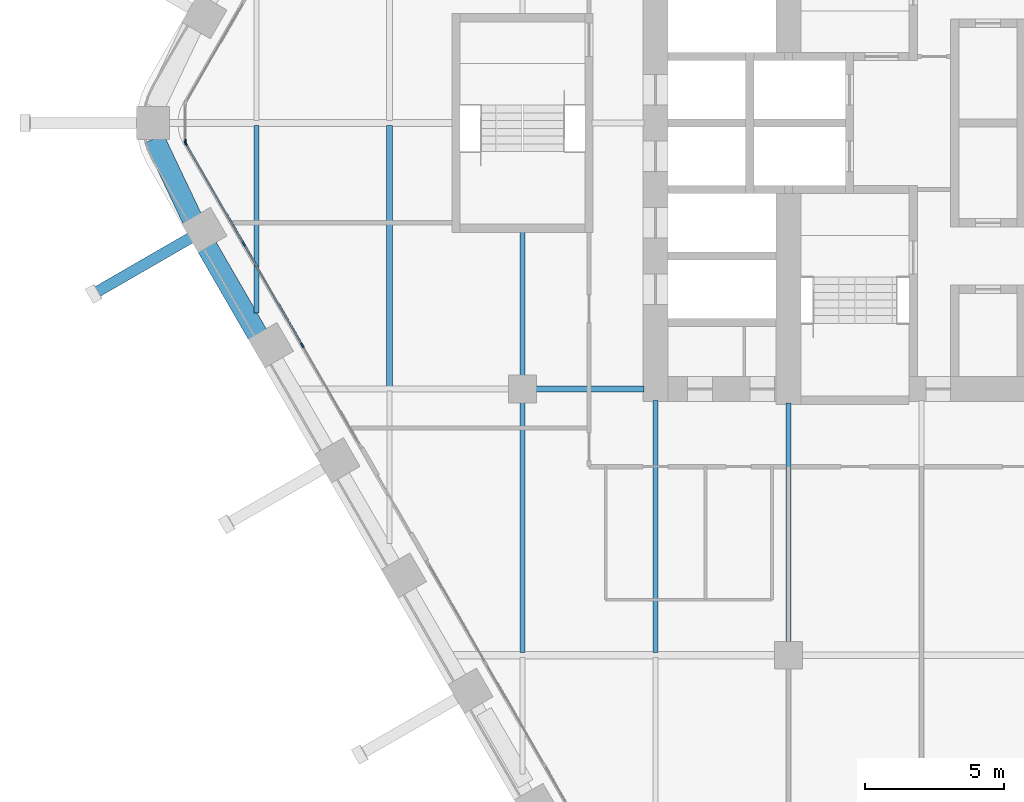
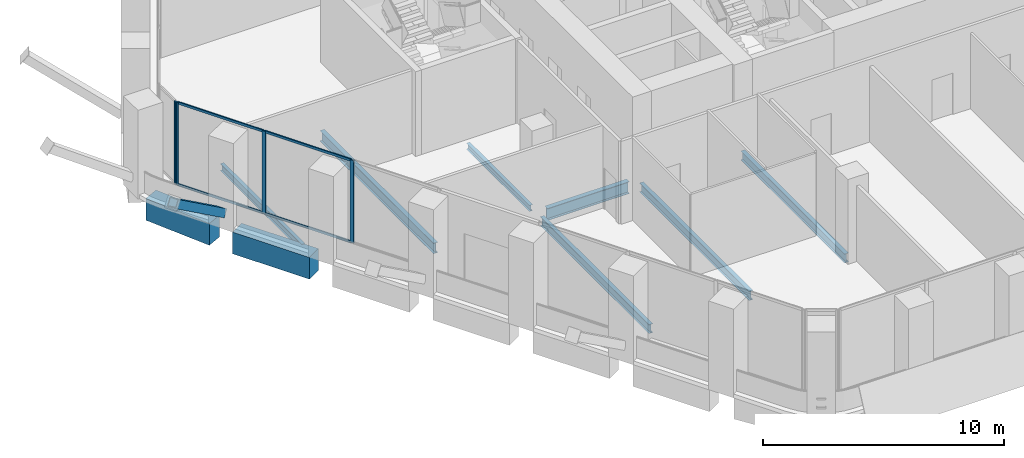
# One storey, part 3 of 27: 9 beams, 9 members, 2 elements without a shape of their own.
"""IFC4 building model written with IfcOpenShell, lengths in metres."""

from ifc_helpers import new_model, si_unit, direction, frame, origin, origin_2d, place, context, subcontext, project, spatial, rectangle, hollow_rectangle, i_section, extrude, material, material_profile, profile_set, type_object, element, aggregate, save


model = new_model("IFC4")

# Units and contexts
model_context = context("Model", 3, precision=1e-05, world=origin(), true_north=direction((0.0, 1.0)))
body_context = subcontext(model_context, "Body", "Model", "MODEL_VIEW")
ifc_project = project(units=[si_unit("LENGTHUNIT", "METRE"), si_unit("AREAUNIT", "SQUARE_METRE"), si_unit("VOLUMEUNIT", "CUBIC_METRE"), si_unit("PLANEANGLEUNIT", "RADIAN"), si_unit("MASSUNIT", "GRAM", prefix="KILO")], contexts=[model_context])

# Site, building, storey
site_placement = place(None, origin())
site = spatial("IfcSite", under=ifc_project, at=site_placement, CompositionType="ELEMENT")
building_placement = place(site_placement, origin())
building = spatial("IfcBuilding", under=site, at=building_placement, Name="Kolab Exchange Tower", CompositionType="ELEMENT")
storey_placement = place(building_placement, frame((0.0, 0.0, 118.39990234375)))
storey = spatial("IfcBuildingStorey", under=building, at=storey_placement, Name="L23", CompositionType="ELEMENT", Elevation=118.39990234375)

# Beams
ifc_material_1 = material(Name="Steel S355", Category="steel")
ifc_material_profile_1 = material_profile(ifc_material_1, i_section(OverallWidth=0.1650390625, OverallDepth=0.31005859375, WebThickness=0.005859375, FlangeThickness=0.009765625, at=origin_2d()), Name="W310X39")
ifc_profile_set_1 = profile_set([ifc_material_profile_1], Name="Steel S355")
beam_type_1 = type_object("IfcBeamType", Name="FLOOR BEAM W310X39", PredefinedType="BEAM", material=ifc_profile_set_1)
beam_1_placement = place(storey_placement, frame((-19.199951171875, -9.139892578125, -0.35498046875), z_axis=(0.0, 1.0, 0.0), x_axis=(-1.0, 0.0, 0.0)))
element("IfcBeam", 1, at=beam_1_placement, inside=storey, type_object=beam_type_1, Name="beam/L23/fr/008", PredefinedType="BEAM", context=body_context, shape_type="SweptSolid", body=[
    extrude(i_section(OverallWidth=0.1650390625, OverallDepth=0.31005859375, WebThickness=0.005859375, FlangeThickness=0.009765625, at=origin_2d()), origin(), (0.0, 0.0, 1.0), 5.22998046875),
])
ifc_material_profile_2 = material_profile(ifc_material_1, i_section(OverallWidth=0.1708984375, OverallDepth=0.35498046875, WebThickness=0.007080078125, FlangeThickness=0.01171875, at=origin_2d()), Name="W360X51")
ifc_profile_set_2 = profile_set([ifc_material_profile_2], Name="Steel S355")
beam_type_2 = type_object("IfcBeamType", Name="FLOOR BEAM W360X51", PredefinedType="BEAM", material=ifc_profile_set_2)
beam_2_placement = place(storey_placement, frame((-28.800048828125, -6.853759765625, -0.37744140625), z_axis=(0.0, 1.0, 0.0), x_axis=(-1.0, 0.0, 0.0)))
element("IfcBeam", 2, at=beam_2_placement, inside=storey, type_object=beam_type_2, Name="beam/L23/fr/000", PredefinedType="BEAM", context=body_context, shape_type="SweptSolid", body=[
    extrude(i_section(OverallWidth=0.1708984375, OverallDepth=0.35498046875, WebThickness=0.007080078125, FlangeThickness=0.01171875, at=origin_2d()), origin(), (0.0, 0.0, 1.0), 6.766845703125),
])
ifc_material_profile_3 = material_profile(ifc_material_1, i_section(OverallWidth=0.18994140625, OverallDepth=0.45703125, WebThickness=0.009033203125, FlangeThickness=0.014404296875, at=origin_2d()), Name="W460X74")
ifc_profile_set_3 = profile_set([ifc_material_profile_3], Name="Steel S355")
beam_type_3 = type_object("IfcBeamType", Name="FLOOR BEAM W460X74", PredefinedType="BEAM", material=ifc_profile_set_3)
beam_3_placement = place(storey_placement, frame((-19.199951171875, -19.1064453125, -0.428466796875), z_axis=(0.0, 1.0, 0.0), x_axis=(-1.0, 0.0, 0.0)))
element("IfcBeam", 3, at=beam_3_placement, inside=storey, type_object=beam_type_3, Name="beam/L23/fr/007", PredefinedType="BEAM", context=body_context, shape_type="SweptSolid", body=[
    extrude(i_section(OverallWidth=0.18994140625, OverallDepth=0.45703125, WebThickness=0.009033203125, FlangeThickness=0.014404296875, at=origin_2d()), origin(), (0.0, 0.0, 1.0), 9.04638671875),
])
beam_4_placement = place(storey_placement, frame((-14.39990234375, -19.1064453125, -0.428466796875), z_axis=(0.0, 1.0, 0.0), x_axis=(-1.0, 0.0, 0.0)))
element("IfcBeam", 4, at=beam_4_placement, inside=storey, type_object=beam_type_3, Name="beam/L23/fr/013", PredefinedType="BEAM", context=body_context, shape_type="SweptSolid", body=[
    extrude(i_section(OverallWidth=0.18994140625, OverallDepth=0.45703125, WebThickness=0.009033203125, FlangeThickness=0.014404296875, at=origin_2d()), origin(), (0.0, 0.0, 1.0), 9.096435546875),
])
beam_5_placement = place(storey_placement, frame((-9.60009765625, -18.739990234375, -0.428466796875), z_axis=(0.0, 1.0, 0.0), x_axis=(-1.0, 0.0, 0.0)))
element("IfcBeam", 5, at=beam_5_placement, inside=storey, type_object=beam_type_3, Name="beam/L23/fr/017", PredefinedType="BEAM", context=body_context, shape_type="SweptSolid", body=[
    extrude(i_section(OverallWidth=0.18994140625, OverallDepth=0.45703125, WebThickness=0.009033203125, FlangeThickness=0.014404296875, at=origin_2d()), origin(), (0.0, 0.0, 1.0), 8.6298828125),
])
ifc_material_profile_4 = material_profile(ifc_material_1, i_section(OverallWidth=0.208984375, OverallDepth=0.532958984375, WebThickness=0.01025390625, FlangeThickness=0.015625, at=origin_2d()), Name="W530X92")
ifc_profile_set_4 = profile_set([ifc_material_profile_4], Name="Steel S355")
beam_type_4 = type_object("IfcBeamType", Name="FLOOR BEAM W530X92", PredefinedType="BEAM", material=ifc_profile_set_4)
beam_6_placement = place(storey_placement, frame((-24.0, -9.52587890625, -0.46630859375), z_axis=(0.0, 1.0, 0.0), x_axis=(-1.0, 0.0, 0.0)))
element("IfcBeam", 6, at=beam_6_placement, inside=storey, type_object=beam_type_4, Name="beam/L23/fr/003", PredefinedType="BEAM", context=body_context, shape_type="SweptSolid", body=[
    extrude(i_section(OverallWidth=0.208984375, OverallDepth=0.532958984375, WebThickness=0.01025390625, FlangeThickness=0.015625, at=origin_2d()), origin(), (0.0, 0.0, 1.0), 9.43896484375),
])
ifc_material_profile_5 = material_profile(ifc_material_1, i_section(OverallWidth=0.22802734375, OverallDepth=0.60791015625, WebThickness=0.01123046875, FlangeThickness=0.017333984375, at=origin_2d()), Name="W610X113")
ifc_profile_set_5 = profile_set([ifc_material_profile_5], Name="Steel S355")
beam_type_5 = type_object("IfcBeamType", Name="FLOOR GIRDER W610X113", PredefinedType="BEAM", material=ifc_profile_set_5)
beam_7_placement = place(storey_placement, frame((-18.739990234375, -9.60009765625, -0.50390625), z_axis=(1.0, 0.0, 0.0), x_axis=(0.0, 1.0, 0.0)))
element("IfcBeam", 7, at=beam_7_placement, inside=storey, type_object=beam_type_5, Name="beam/L23/gd/005", PredefinedType="BEAM", context=body_context, shape_type="SweptSolid", body=[
    extrude(i_section(OverallWidth=0.22802734375, OverallDepth=0.60791015625, WebThickness=0.01123046875, FlangeThickness=0.017333984375, at=origin_2d()), origin(), (0.0, 0.0, 1.0), 3.929931640625),
])

# Member
ifc_material_profile_6 = material_profile(ifc_material_1, hollow_rectangle(XDim=0.39990234375, YDim=0.39990234375, WallThickness=0.02001953125, at=origin_2d()), Name="HSS400X400X20")
ifc_profile_set_6 = profile_set([ifc_material_profile_6], Name="Steel S355")
member_type_1 = type_object("IfcMemberType", Name="LEDGE STRUT HSS400X400X20", PredefinedType="STRUT", material=ifc_profile_set_6)
member_1_placement = place(storey_placement, frame((-31.165283203125, -4.136962890625, 0.60009765625), z_axis=(-0.702055669831, -0.40533170136, 0.585511783255), x_axis=(0.499999695987, -0.866025579307, 0.0)))
element("IfcMember", 8, at=member_1_placement, inside=storey, type_object=member_type_1, Name="mem/L23/ledge/strut-3", PredefinedType="STRUT", context=body_context, shape_type="SweptSolid", body=[
    extrude(hollow_rectangle(XDim=0.39990234375, YDim=0.39990234375, WallThickness=0.02001953125, at=origin_2d()), origin(), (0.0, 0.0, 1.0), 4.983642578125),
])

# Beams
ifc_material_2 = material(Name="Concrete C70/85", Category="concrete")
ifc_material_profile_7 = material_profile(ifc_material_2, rectangle(XDim=0.75, YDim=1.10009765625, at=origin_2d()), Name="RC750X1100")
ifc_profile_set_7 = profile_set([ifc_material_profile_7], Name="Concrete C70/85")
beam_type_6 = type_object("IfcBeamType", Name="SPANDREL BEAM 750X1100 C70/85", PredefinedType="BEAM", material=ifc_profile_set_7)
beam_8_placement = place(storey_placement, frame((-28.755126953125, -7.641357421875, -0.75), z_axis=(-0.500013413428, 0.866017659399, 0.0), x_axis=(-0.866017659399, -0.500013413428, 0.0)))
element("IfcBeam", 9, at=beam_8_placement, inside=storey, type_object=beam_type_6, Name="beam/L23/sp/F5-06", PredefinedType="BEAM", context=body_context, shape_type="SweptSolid", body=[
    extrude(rectangle(XDim=0.75, YDim=1.10009765625, at=origin_2d()), origin(), (0.0, 0.0, 1.0), 3.68017578125),
])
beam_9_placement = place(storey_placement, frame((-31.116455078125, -3.4619140625, -0.75), z_axis=(-0.429041292193, 0.903284877319, 0.0), x_axis=(-0.903284877319, -0.429041292193, 0.0)))
element("IfcBeam", 10, at=beam_9_placement, inside=storey, type_object=beam_type_6, Name="beam/L23/sp/F5-07", PredefinedType="BEAM", context=body_context, shape_type="SweptSolid", body=[
    extrude(rectangle(XDim=0.75, YDim=1.10009765625, at=origin_2d()), origin(), (0.0, 0.0, 1.0), 3.208251953125),
])

# Curtain wall, members
ifc_material_3 = material(Name="Aluminium EN AW-6063 T6", Category="aluminium")
curtain_wall_type = type_object("IfcCurtainWallType", Name="UNITISED LOWER MID ZONE CURTAIN WALL", PredefinedType="NOTDEFINED", material=ifc_material_3)
curtain_wall_1_placement = place(storey_placement, origin())
curtain_wall_1 = element("IfcCurtainWall", 11, at=curtain_wall_1_placement, inside=storey, type_object=curtain_wall_type, Name="cw/L23/F5-2", PredefinedType="NOTDEFINED")
ifc_material_profile_8 = material_profile(ifc_material_3, rectangle(XDim=0.06005859375, YDim=0.179931640625, at=origin_2d()), Name="RECT 60X180")
ifc_profile_set_8 = profile_set([ifc_material_profile_8], Name="Aluminium EN AW-6063 T6")
member_type_2 = type_object("IfcMemberType", Name="UNITISED LOWER MID ZONE MULLION 60 X 180", PredefinedType="MULLION", material=ifc_profile_set_8)
member_2_placement = place(storey_placement, frame((-27.14306640625, -8.02392578125, 0.0), z_axis=(0.0, 0.0, 1.0), x_axis=(-0.866025427826, -0.499999958358, 0.0)))
member_2 = element("IfcMember", 12, at=member_2_placement, type_object=member_type_2, Name="CW2 mullion 2", PredefinedType="MULLION", context=body_context, shape_type="SweptSolid", body=[
    extrude(rectangle(XDim=0.06005859375, YDim=0.179931640625, at=origin_2d()), origin(), (0.0, 0.0, 1.0), 4.2001953125),
])
member_3_placement = place(storey_placement, frame((-29.25439453125, -4.366943359375, 0.0), z_axis=(0.0, 0.0, 1.0), x_axis=(-0.866025427826, -0.499999958358, 0.0)))
member_3 = element("IfcMember", 13, at=member_3_placement, type_object=member_type_2, Name="CW2 mullion 3", PredefinedType="MULLION", context=body_context, shape_type="SweptSolid", body=[
    extrude(rectangle(XDim=0.06005859375, YDim=0.179931640625, at=origin_2d()), origin(), (0.0, 0.0, 1.0), 4.2001953125),
])
member_4_placement = place(storey_placement, frame((-31.3505859375, -0.736083984375, 0.0), z_axis=(0.0, 0.0, 1.0), x_axis=(-0.866025427826, -0.499999958358, 0.0)))
member_4 = element("IfcMember", 14, at=member_4_placement, type_object=member_type_2, Name="CW2 mullion 4", PredefinedType="MULLION", context=body_context, shape_type="SweptSolid", body=[
    extrude(rectangle(XDim=0.06005859375, YDim=0.179931640625, at=origin_2d()), origin(), (0.0, 0.0, 1.0), 4.2001953125),
])

# Curtain wall, member
curtain_wall_2_placement = place(storey_placement, origin())
curtain_wall_2 = element("IfcCurtainWall", 15, at=curtain_wall_2_placement, inside=storey, type_object=curtain_wall_type, Name="cw/L23/F5F6-corner", PredefinedType="NOTDEFINED")
member_5_placement = place(storey_placement, frame((-31.36572265625, -0.679931640625, 0.0), z_axis=(0.0, 0.0, 1.0), x_axis=(-1.0, 0.0, 0.0)))
member_5 = element("IfcMember", 16, at=member_5_placement, type_object=member_type_2, Name="CW2 mullion 1", PredefinedType="MULLION", context=body_context, shape_type="SweptSolid", body=[
    extrude(rectangle(XDim=0.06005859375, YDim=0.179931640625, at=origin_2d()), origin(), (0.0, 0.0, 1.0), 4.2001953125),
])
aggregate(curtain_wall_2, [member_5])

# Member
ifc_material_profile_9 = material_profile(ifc_material_3, rectangle(XDim=0.06005859375, YDim=0.1201171875, at=origin_2d()), Name="RECT 60X120")
ifc_profile_set_9 = profile_set([ifc_material_profile_9], Name="Aluminium EN AW-6063 T6")
member_type_3 = type_object("IfcMemberType", Name="UNITISED LOWER MID ZONE TRANSOM 60 X 120", PredefinedType="USERDEFINED", material=ifc_profile_set_9)
member_6_placement = place(storey_placement, frame((-27.157958984375, -7.997802734375, 0.030029296875), z_axis=(-0.49999322259, 0.866029316688, 0.0), x_axis=(-0.866029316688, -0.49999322259, 0.0)))
member_6 = element("IfcMember", 17, at=member_6_placement, type_object=member_type_3, Name="CW2 transom 2.1", ObjectType="TRANSOM", PredefinedType="USERDEFINED", context=body_context, shape_type="SweptSolid", body=[
    extrude(rectangle(XDim=0.06005859375, YDim=0.1201171875, at=origin_2d()), origin(), (0.0, 0.0, 1.0), 4.16259765625),
])

member_7_placement = place(storey_placement, frame((-27.157958984375, -7.997802734375, 4.170166015625), z_axis=(-0.49999322259, 0.866029316688, 0.0), x_axis=(-0.866029316688, -0.49999322259, 0.0)))
member_7 = element("IfcMember", 18, at=member_7_placement, type_object=member_type_3, Name="CW2 transom 2.2", ObjectType="TRANSOM", PredefinedType="USERDEFINED", context=body_context, shape_type="SweptSolid", body=[
    extrude(rectangle(XDim=0.06005859375, YDim=0.1201171875, at=origin_2d()), origin(), (0.0, 0.0, 1.0), 4.16259765625),
])

member_8_placement = place(storey_placement, frame((-29.269287109375, -4.3408203125, 0.030029296875), z_axis=(-0.500027577057, 0.866009481578, 0.0), x_axis=(-0.866009481578, -0.500027577057, 0.0)))
member_8 = element("IfcMember", 19, at=member_8_placement, type_object=member_type_3, Name="CW2 transom 3.1", ObjectType="TRANSOM", PredefinedType="USERDEFINED", context=body_context, shape_type="SweptSolid", body=[
    extrude(rectangle(XDim=0.06005859375, YDim=0.1201171875, at=origin_2d()), origin(), (0.0, 0.0, 1.0), 4.132568359375),
])

member_9_placement = place(storey_placement, frame((-29.269287109375, -4.3408203125, 4.170166015625), z_axis=(-0.500027577057, 0.866009481578, 0.0), x_axis=(-0.866009481578, -0.500027577057, 0.0)))
member_9 = element("IfcMember", 20, at=member_9_placement, type_object=member_type_3, Name="CW2 transom 3.2", ObjectType="TRANSOM", PredefinedType="USERDEFINED", context=body_context, shape_type="SweptSolid", body=[
    extrude(rectangle(XDim=0.06005859375, YDim=0.1201171875, at=origin_2d()), origin(), (0.0, 0.0, 1.0), 4.132568359375),
])

aggregate(curtain_wall_1, [member_2, member_3, member_4, member_6, member_7, member_8, member_9])

save(model, "model.ifc")
